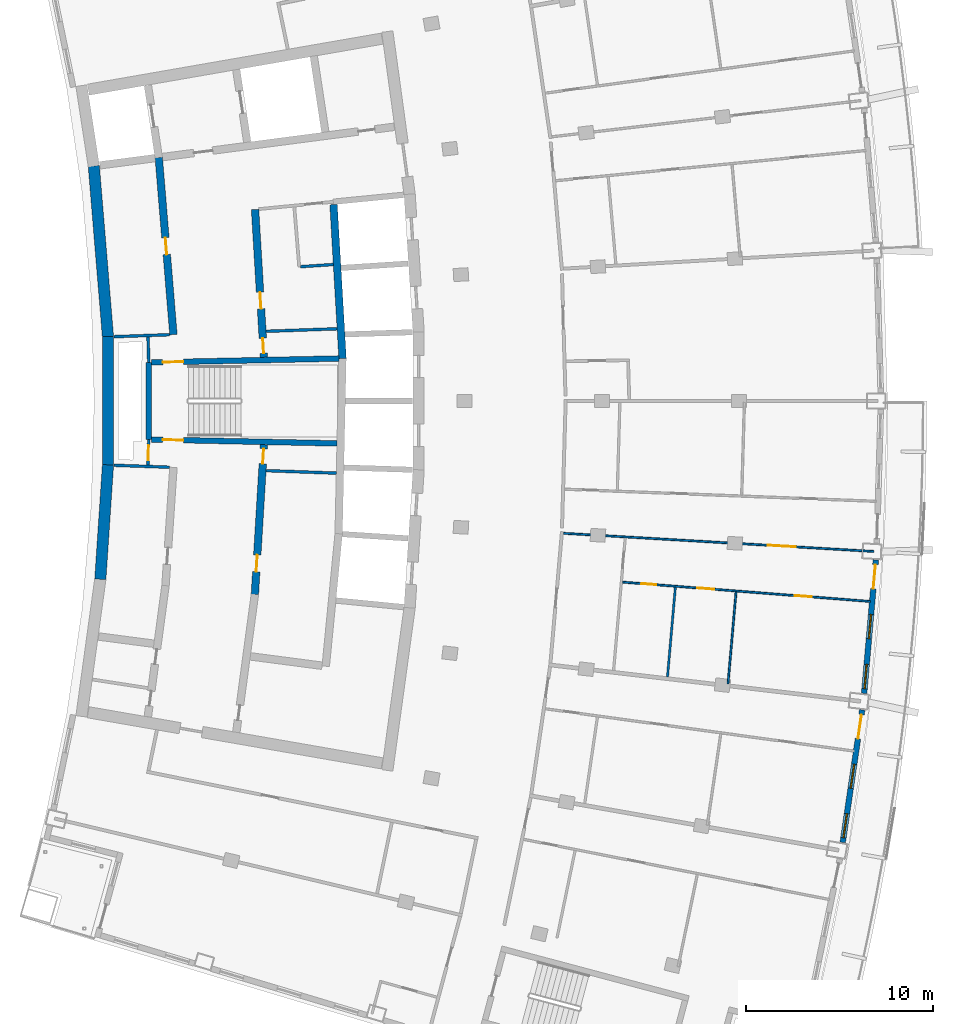
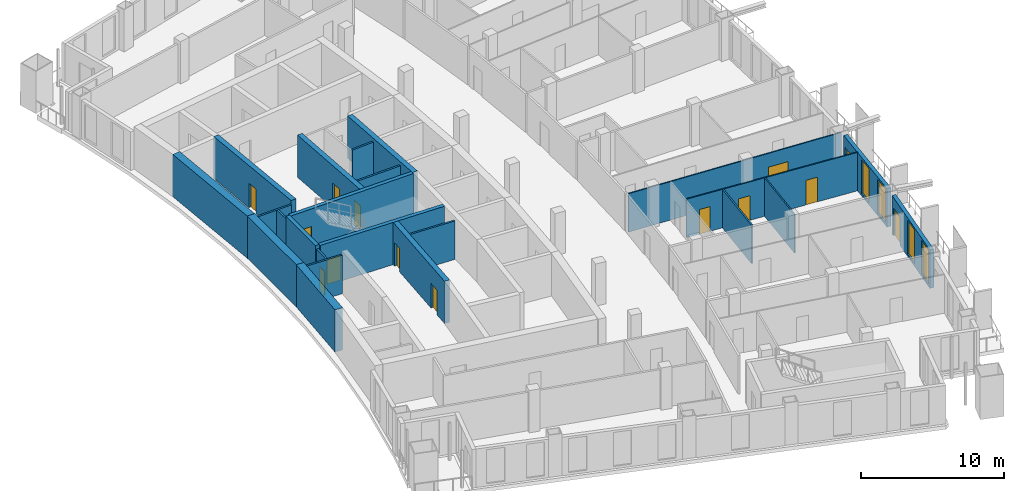
# One storey, part 11 of 17: 23 walls, 14 doors, 4 windows, 18 openings.
"""IFC4 building model written with IfcOpenShell, lengths in metres."""

from ifc_helpers import new_model, si_unit, direction, frame, frame_2d, origin, place, context, subcontext, project, spatial, rectangle, extrude, material, layer, layer_set, type_object, element, fill, save


model = new_model("IFC4")

# Units and contexts
model_context = context("Model", 3, precision=1e-05, world=origin(), true_north=direction((0.0, 1.0)))
body_context = subcontext(model_context, "Body", "Model", "MODEL_VIEW")
ifc_project = project(units=[si_unit("LENGTHUNIT", "METRE"), si_unit("AREAUNIT", "SQUARE_METRE"), si_unit("VOLUMEUNIT", "CUBIC_METRE"), si_unit("PLANEANGLEUNIT", "RADIAN"), si_unit("MASSUNIT", "GRAM", prefix="KILO")], contexts=[model_context])

# Site, building, storey
site_placement = place(None, origin())
site = spatial("IfcSite", under=ifc_project, at=site_placement, CompositionType="ELEMENT")
building_placement = place(site_placement, origin())
building = spatial("IfcBuilding", under=site, at=building_placement, Name="Alderwake Tower", CompositionType="ELEMENT")
storey_placement = place(building_placement, frame((0.0, 0.0, 214.39990234375)))
storey = spatial("IfcBuildingStorey", under=building, at=storey_placement, Name="L53", CompositionType="ELEMENT", Elevation=214.39990234375)

# Walls
ifc_material_1 = material(Name="Gypsum shaft wall system, rated")
ifc_layer_1 = layer(ifc_material_1, 0.14990234375)
ifc_layer_set_1 = layer_set([ifc_layer_1], Name="Core riser partition 150")
wall_type_1 = type_object("IfcWallType", Name="Core riser partition 150", PredefinedType="PARTITIONING", material=ifc_layer_set_1)
wall_1_placement = place(storey_placement, frame((25.1904296875, 57.276611328125, 0.0), z_axis=(0.0, 0.0, 1.0), x_axis=(0.99937350076, -0.035392173974, 0.0)))
element("IfcWall", 1, at=wall_1_placement, inside=storey, type_object=wall_type_1, Name="CW/L53/PR-37_+86", PredefinedType="PARTITIONING", context=body_context, shape_type="SweptSolid", body=[
    extrude(rectangle(XDim=3.752685546875, YDim=0.14990234375, at=frame_2d((1.87646484375, 0.0))), origin(), (0.0, 0.0, 1.0), 3.280029296875),
])
wall_2_placement = place(storey_placement, frame((25.191162109375, 64.723388671875, 0.0), z_axis=(0.0, 0.0, 1.0), x_axis=(0.999373627871, 0.035388584556, 0.0)))
element("IfcWall", 2, at=wall_2_placement, inside=storey, type_object=wall_type_1, Name="CW/L53/PR+37_+86", PredefinedType="PARTITIONING", context=body_context, shape_type="SweptSolid", body=[
    extrude(rectangle(XDim=3.79443359375, YDim=0.14990234375, at=frame_2d((1.897216796875, 0.0))), origin(), (0.0, 0.0, 1.0), 3.280029296875),
])

# Wall, opening, door
ifc_material_2 = material(Name="Gypsum shaft wall system, rated")
ifc_layer_2 = layer(ifc_material_2, 0.14990234375)
ifc_layer_set_2 = layer_set([ifc_layer_2], Name="Core room partition 150")
wall_type_2 = type_object("IfcWallType", Name="Core room partition 150", PredefinedType="PARTITIONING", material=ifc_layer_set_2)
wall_3_placement = place(storey_placement, frame((18.918701171875, 58.94384765625, 0.0), z_axis=(0.0, 0.0, 1.0), x_axis=(-0.027811602725, -0.999613182563, 0.0)))
wall_3 = element("IfcWall", 3, at=wall_3_placement, inside=storey, type_object=wall_type_2, Name="CW/L53/PA+24_-37", PredefinedType="PARTITIONING", context=body_context, shape_type="SweptSolid", body=[
    extrude(rectangle(XDim=1.369384765625, YDim=0.14990234375, at=frame_2d((0.6845703125, 0.0))), origin(), (0.0, 0.0, 1.0), 3.280029296875),
])
opening_1_placement = place(wall_3_placement, frame((0.322998046875, 0.0, 0.0)))
opening_1 = element("IfcOpeningElement", 4, at=opening_1_placement, cuts=wall_3, Name="Opening C004", PredefinedType="OPENING", context=body_context, shape_type="SweptSolid", body=[
    extrude(rectangle(XDim=0.800048828125, YDim=2.0, at=frame_2d((0.39990234375, 1.0))), frame((0.0, 0.0849609375, 0.0), z_axis=(0.0, -1.0, 0.0), x_axis=(1.0, 0.0, 0.0)), (0.0, 0.0, 1.0), 0.169921875),
])
ifc_material_3 = material(Name="Painted steel leaf, rated", Category="steel")
door_type_1 = type_object("IfcDoorType", Name="Riser access door 800", OperationType="SINGLE_SWING_LEFT", PredefinedType="DOOR", material=ifc_material_3)
door_1_placement = place(opening_1_placement, origin())
door_1 = element("IfcDoor", 5, at=door_1_placement, inside=storey, type_object=door_type_1, Name="Riser access door", OperationType="SINGLE_SWING_RIGHT", OverallHeight=2.0, OverallWidth=0.800048828125, PredefinedType="DOOR", context=body_context, shape_type="SweptSolid", body=[
    extrude(rectangle(XDim=0.800048828125, YDim=2.0, at=frame_2d((0.39990234375, 1.0))), frame((0.0, 0.02490234375, 0.0), z_axis=(0.0, -1.0, 0.0), x_axis=(1.0, 0.0, 0.0)), (0.0, 0.0, 1.0), 0.050048828125),
])
fill(opening_1, door_1)

# Walls
wall_4_placement = place(storey_placement, frame((18.918701171875, 63.05517578125, 0.0), z_axis=(0.0, 0.0, 1.0), x_axis=(-0.027791791559, 0.99961373356, 0.0)))
element("IfcWall", 6, at=wall_4_placement, inside=storey, type_object=wall_type_2, Name="CW/L53/PA+24_+22", PredefinedType="PARTITIONING", context=body_context, shape_type="SweptSolid", body=[
    extrude(rectangle(XDim=1.370361328125, YDim=0.14990234375, at=frame_2d((0.68505859375, 0.0))), origin(), (0.0, 0.0, 1.0), 3.280029296875),
])
for number, where, z_axis, x_axis, name in (
    (7, (17.0693359375, 57.56396484375, 0.0), (0.0, 0.0, 1.0), (0.999374945052, -0.03535136775, 0.0), "CW/L53/PR-37_+0"),
    (8, (17.0693359375, 64.43603515625, 0.0), (0.0, 0.0, 1.0), (0.999374945052, 0.03535136775, 0.0), "CW/L53/PR+37_+0"),
):
    element("IfcWall", number, at=place(storey_placement, frame(where, z_axis=z_axis, x_axis=x_axis)), inside=storey, type_object=wall_type_2, Name=name, PredefinedType="PARTITIONING", context=body_context, shape_type="SweptSolid", body=[
        extrude(rectangle(XDim=2.9697265625, YDim=0.14990234375, at=frame_2d((1.48486328125, 0.0))), origin(), (0.0, 0.0, 1.0), 3.280029296875),
    ])
wall_5_placement = place(storey_placement, frame((27.034912109375, 68.175537109375, 0.0), z_axis=(0.0, 0.0, 1.0), x_axis=(0.997757929195, 0.066926188655, 0.0)))
element("IfcWall", 9, at=wall_5_placement, inside=storey, type_object=wall_type_2, Name="CW/L53/PR+70_+107", PredefinedType="PARTITIONING", context=body_context, shape_type="SweptSolid", body=[
    extrude(rectangle(XDim=1.7509765625, YDim=0.14990234375, at=frame_2d((0.87548828125, 0.0))), origin(), (0.0, 0.0, 1.0), 3.280029296875),
])
ifc_material_4 = material(Name="Concrete C70/85", Category="concrete")
ifc_layer_3 = layer(ifc_material_4, 0.60009765625)
ifc_layer_set_3 = layer_set([ifc_layer_3], Name="Core wall outer 600 C70-85")
wall_type_3 = type_object("IfcWallType", Name="Core wall outer 600 C70-85", PredefinedType="SHEAR", material=ifc_layer_set_3)
wall_6_placement = place(storey_placement, frame((16.330078125, 51.469970703125, 0.0), z_axis=(0.0, 0.0, 1.0), x_axis=(0.066870582109, 0.997761657536, 0.0)))
element("IfcWall", 10, at=wall_6_placement, inside=storey, type_object=wall_type_3, Name="Core wall CW.036", PredefinedType="SHEAR", context=body_context, shape_type="SweptSolid", body=[
    extrude(rectangle(XDim=6.1298828125, YDim=0.60009765625, at=frame_2d((3.06494140625, 0.0))), origin(), (0.0, 0.0, 1.0), 3.60009765625),
])
wall_7_placement = place(storey_placement, frame((16.739501953125, 57.565185546875, 0.0), z_axis=(0.0, 0.0, 1.0), x_axis=(0.0, 1.0, 0.0)))
element("IfcWall", 11, at=wall_7_placement, inside=storey, type_object=wall_type_3, Name="Core wall CW.038", PredefinedType="SHEAR", context=body_context, shape_type="SweptSolid", body=[
    extrude(rectangle(XDim=6.8720703125, YDim=0.60009765625, at=frame_2d((3.43603515625, 0.0))), origin(), (0.0, 0.0, 1.0), 3.60009765625),
])
wall_8_placement = place(storey_placement, frame((16.740478515625, 64.411376953125, 0.0), z_axis=(0.0, 0.0, 1.0), x_axis=(-0.082614307012, 0.996581595393, 0.0)))
element("IfcWall", 12, at=wall_8_placement, inside=storey, type_object=wall_type_3, Name="Core wall CW.035", PredefinedType="SHEAR", context=body_context, shape_type="SweptSolid", body=[
    extrude(rectangle(XDim=9.184814453125, YDim=0.60009765625, at=frame_2d((4.59228515625, 0.0))), origin(), (0.0, 0.0, 1.0), 3.60009765625),
])

# Wall, opening, door
ifc_material_5 = material(Name="Concrete C70/85", Category="concrete")
ifc_layer_4 = layer(ifc_material_5, 0.39990234375)
ifc_layer_set_4 = layer_set([ifc_layer_4], Name="Core wall spine 400 C70-85")
wall_type_4 = type_object("IfcWallType", Name="Core wall spine 400 C70-85", PredefinedType="SHEAR", material=ifc_layer_set_4)
wall_9_placement = place(storey_placement, frame((19.452392578125, 74.014892578125, 0.0), z_axis=(0.0, 0.0, 1.0), x_axis=(0.082628585297, -0.996580411654, 0.0)))
wall_9 = element("IfcWall", 13, at=wall_9_placement, inside=storey, type_object=wall_type_4, Name="Core wall CW.031", PredefinedType="SHEAR", context=body_context, shape_type="SweptSolid", body=[
    extrude(rectangle(XDim=9.499267578125, YDim=0.39990234375, at=frame_2d((4.74951171875, 0.0))), origin(), (0.0, 0.0, 1.0), 3.60009765625),
])
opening_2_placement = place(wall_9_placement, frame((4.30322265625, 0.0, 0.0)))
opening_2 = element("IfcOpeningElement", 14, at=opening_2_placement, cuts=wall_9, Name="Opening C051", PredefinedType="OPENING", context=body_context, shape_type="SweptSolid", body=[
    extrude(rectangle(XDim=0.89990234375, YDim=2.10009765625, at=frame_2d((0.449951171875, 1.050048828125))), frame((0.0, 0.2099609375, 0.0), z_axis=(0.0, -1.0, 0.0), x_axis=(1.0, 0.0, 0.0)), (0.0, 0.0, 1.0), 0.419921875),
])
ifc_material_6 = material(Name="Painted steel leaf", Category="steel")
door_type_2 = type_object("IfcDoorType", Name="Core room door 900", OperationType="SINGLE_SWING_LEFT", PredefinedType="DOOR", material=ifc_material_6)
door_2_placement = place(opening_2_placement, origin())
door_2 = element("IfcDoor", 15, at=door_2_placement, inside=storey, type_object=door_type_2, Name="Room door", OperationType="SINGLE_SWING_RIGHT", OverallHeight=2.10009765625, OverallWidth=0.89990234375, PredefinedType="DOOR", context=body_context, shape_type="SweptSolid", body=[
    extrude(rectangle(XDim=0.89990234375, YDim=2.10009765625, at=frame_2d((0.449951171875, 1.050048828125))), frame((0.0, 0.02490234375, 0.0), z_axis=(0.0, -1.0, 0.0), x_axis=(1.0, 0.0, 0.0)), (0.0, 0.0, 1.0), 0.050048828125),
])
fill(opening_2, door_2)

# Wall, openings, doors
wall_10_placement = place(storey_placement, frame((24.590087890625, 50.65673828125, 0.0), z_axis=(0.0, 0.0, 1.0), x_axis=(0.060318641452, 0.998179173041, 0.0)))
wall_10 = element("IfcWall", 16, at=wall_10_placement, inside=storey, type_object=wall_type_4, Name="Core wall CW.046", PredefinedType="SHEAR", context=body_context, shape_type="SweptSolid", body=[
    extrude(rectangle(XDim=8.022216796875, YDim=0.39990234375, at=frame_2d((4.01123046875, 0.0))), origin(), (0.0, 0.0, 1.0), 3.60009765625),
])
opening_3_placement = place(wall_10_placement, frame((7.006103515625, 0.0, 0.0)))
opening_3 = element("IfcOpeningElement", 17, at=opening_3_placement, cuts=wall_10, Name="Opening C006", PredefinedType="OPENING", context=body_context, shape_type="SweptSolid", body=[
    extrude(rectangle(XDim=0.800048828125, YDim=2.0, at=frame_2d((0.39990234375, 1.0))), frame((0.0, 0.2099609375, 0.0), z_axis=(0.0, -1.0, 0.0), x_axis=(1.0, 0.0, 0.0)), (0.0, 0.0, 1.0), 0.419921875),
])
opening_4_placement = place(wall_10_placement, frame((1.21533203125, 0.0, 0.0)))
opening_4 = element("IfcOpeningElement", 18, at=opening_4_placement, cuts=wall_10, Name="Opening C043", PredefinedType="OPENING", context=body_context, shape_type="SweptSolid", body=[
    extrude(rectangle(XDim=0.89990234375, YDim=2.10009765625, at=frame_2d((0.449951171875, 1.050048828125))), frame((0.0, 0.2099609375, 0.0), z_axis=(0.0, -1.0, 0.0), x_axis=(1.0, 0.0, 0.0)), (0.0, 0.0, 1.0), 0.419921875),
])
door_3_placement = place(opening_4_placement, origin())
door_3 = element("IfcDoor", 19, at=door_3_placement, inside=storey, type_object=door_type_2, Name="Room door", OperationType="SINGLE_SWING_LEFT", OverallHeight=2.10009765625, OverallWidth=0.89990234375, PredefinedType="DOOR", context=body_context, shape_type="SweptSolid", body=[
    extrude(rectangle(XDim=0.89990234375, YDim=2.10009765625, at=frame_2d((0.449951171875, 1.050048828125))), frame((0.0, 0.02490234375, 0.0), z_axis=(0.0, -1.0, 0.0), x_axis=(1.0, 0.0, 0.0)), (0.0, 0.0, 1.0), 0.050048828125),
])
fill(opening_4, door_3)
door_4_placement = place(opening_3_placement, origin())
door_4 = element("IfcDoor", 20, at=door_4_placement, inside=storey, type_object=door_type_1, Name="Riser access door", OperationType="SINGLE_SWING_RIGHT", OverallHeight=2.0, OverallWidth=0.800048828125, PredefinedType="DOOR", context=body_context, shape_type="SweptSolid", body=[
    extrude(rectangle(XDim=0.800048828125, YDim=2.0, at=frame_2d((0.39990234375, 1.0))), frame((0.0, 0.02490234375, 0.0), z_axis=(0.0, -1.0, 0.0), x_axis=(1.0, 0.0, 0.0)), (0.0, 0.0, 1.0), 0.050048828125),
])
fill(opening_3, door_4)

wall_11_placement = place(storey_placement, frame((25.073974609375, 63.335693359375, 0.0), z_axis=(0.0, 0.0, 1.0), x_axis=(-0.059848641072, 0.998207463487, 0.0)))
wall_11 = element("IfcWall", 21, at=wall_11_placement, inside=storey, type_object=wall_type_4, Name="Core wall CW.045", PredefinedType="SHEAR", context=body_context, shape_type="SweptSolid", body=[
    extrude(rectangle(XDim=7.913818359375, YDim=0.39990234375, at=frame_2d((3.95703125, 0.0))), origin(), (0.0, 0.0, 1.0), 3.60009765625),
])
opening_5_placement = place(wall_11_placement, frame((0.216064453125, 0.0, 0.0)))
opening_5 = element("IfcOpeningElement", 22, at=opening_5_placement, cuts=wall_11, Name="Opening C005", PredefinedType="OPENING", context=body_context, shape_type="SweptSolid", body=[
    extrude(rectangle(XDim=0.800048828125, YDim=2.0, at=frame_2d((0.39990234375, 1.0))), frame((0.0, 0.2099609375, 0.0), z_axis=(0.0, -1.0, 0.0), x_axis=(1.0, 0.0, 0.0)), (0.0, 0.0, 1.0), 0.419921875),
])
opening_6_placement = place(wall_11_placement, frame((2.590087890625, 0.0, 0.0)))
opening_6 = element("IfcOpeningElement", 23, at=opening_6_placement, cuts=wall_11, Name="Opening C058", PredefinedType="OPENING", context=body_context, shape_type="SweptSolid", body=[
    extrude(rectangle(XDim=0.89990234375, YDim=2.10009765625, at=frame_2d((0.449951171875, 1.050048828125))), frame((0.0, 0.2099609375, 0.0), z_axis=(0.0, -1.0, 0.0), x_axis=(1.0, 0.0, 0.0)), (0.0, 0.0, 1.0), 0.419921875),
])
door_5_placement = place(opening_6_placement, origin())
door_5 = element("IfcDoor", 24, at=door_5_placement, inside=storey, type_object=door_type_2, Name="Room door", OperationType="SINGLE_SWING_LEFT", OverallHeight=2.10009765625, OverallWidth=0.89990234375, PredefinedType="DOOR", context=body_context, shape_type="SweptSolid", body=[
    extrude(rectangle(XDim=0.89990234375, YDim=2.10009765625, at=frame_2d((0.449951171875, 1.050048828125))), frame((0.0, 0.02490234375, 0.0), z_axis=(0.0, -1.0, 0.0), x_axis=(1.0, 0.0, 0.0)), (0.0, 0.0, 1.0), 0.050048828125),
])
fill(opening_6, door_5)
door_6_placement = place(opening_5_placement, origin())
door_6 = element("IfcDoor", 25, at=door_6_placement, inside=storey, type_object=door_type_1, Name="Riser access door", OperationType="SINGLE_SWING_LEFT", OverallHeight=2.0, OverallWidth=0.800048828125, PredefinedType="DOOR", context=body_context, shape_type="SweptSolid", body=[
    extrude(rectangle(XDim=0.800048828125, YDim=2.0, at=frame_2d((0.39990234375, 1.0))), frame((0.0, 0.02490234375, 0.0), z_axis=(0.0, -1.0, 0.0), x_axis=(1.0, 0.0, 0.0)), (0.0, 0.0, 1.0), 0.050048828125),
])
fill(opening_5, door_6)

# Walls
wall_12_placement = place(storey_placement, frame((29.27685546875, 63.2646484375, 0.0), z_axis=(0.0, 0.0, 1.0), x_axis=(-0.0584546922, 0.998290062537, 0.0)))
element("IfcWall", 26, at=wall_12_placement, inside=storey, type_object=wall_type_4, Name="Core wall CW.002", PredefinedType="SHEAR", context=body_context, shape_type="SweptSolid", body=[
    extrude(rectangle(XDim=8.24462890625, YDim=0.39990234375, at=frame_2d((4.122314453125, 0.0))), origin(), (0.0, 0.0, 1.0), 3.60009765625),
])
ifc_material_7 = material(Name="Concrete C70/85", Category="concrete")
ifc_layer_5 = layer(ifc_material_7, 0.300048828125)
ifc_layer_set_5 = layer_set([ifc_layer_5], Name="Core wall stair enclosure 300 C70-85")
wall_type_5 = type_object("IfcWallType", Name="Core wall stair enclosure 300 C70-85", PredefinedType="SHEAR", material=ifc_layer_set_5)
wall_13_placement = place(storey_placement, frame((18.918701171875, 58.940673828125, 0.0), z_axis=(0.0, 0.0, 1.0), x_axis=(0.0, 1.0, 0.0)))
element("IfcWall", 27, at=wall_13_placement, inside=storey, type_object=wall_type_5, Name="Core wall CW.024", PredefinedType="SHEAR", context=body_context, shape_type="SweptSolid", body=[
    extrude(rectangle(XDim=4.11962890625, YDim=0.300048828125, at=frame_2d((2.059814453125, 0.0))), origin(), (0.0, 0.0, 1.0), 3.60009765625),
])

# Wall, opening, door
wall_14_placement = place(storey_placement, frame((28.975830078125, 58.733154296875, 0.0), z_axis=(0.0, 0.0, 1.0), x_axis=(-0.999783782948, 0.020793925895, 0.0)))
wall_14 = element("IfcWall", 28, at=wall_14_placement, inside=storey, type_object=wall_type_5, Name="Core wall CW.074", PredefinedType="SHEAR", context=body_context, shape_type="SweptSolid", body=[
    extrude(rectangle(XDim=9.909423828125, YDim=0.300048828125, at=frame_2d((4.95458984375, 0.0))), origin(), (0.0, 0.0, 1.0), 3.60009765625),
])
opening_7_placement = place(wall_14_placement, frame((8.20947265625, 0.0, 0.0)))
opening_7 = element("IfcOpeningElement", 29, at=opening_7_placement, cuts=wall_14, Name="Opening C063", PredefinedType="OPENING", context=body_context, shape_type="SweptSolid", body=[
    extrude(rectangle(XDim=1.10009765625, YDim=2.10009765625, at=frame_2d((0.550048828125, 1.050048828125))), frame((0.0, 0.159912109375, 0.0), z_axis=(0.0, -1.0, 0.0), x_axis=(1.0, 0.0, 0.0)), (0.0, 0.0, 1.0), 0.320068359375),
])
ifc_material_8 = material(Name="Steel-framed fire door leaf", Category="steel")
door_type_3 = type_object("IfcDoorType", Name="Core stair door 1100 fire-rated", OperationType="SINGLE_SWING_LEFT", PredefinedType="DOOR", material=ifc_material_8)
door_7_placement = place(opening_7_placement, origin())
door_7 = element("IfcDoor", 30, at=door_7_placement, inside=storey, type_object=door_type_3, Name="Stair door", OperationType="SINGLE_SWING_LEFT", OverallHeight=2.10009765625, OverallWidth=1.10009765625, PredefinedType="DOOR", context=body_context, shape_type="SweptSolid", body=[
    extrude(rectangle(XDim=1.10009765625, YDim=2.10009765625, at=frame_2d((0.550048828125, 1.050048828125))), frame((0.0, 0.02490234375, 0.0), z_axis=(0.0, -1.0, 0.0), x_axis=(1.0, 0.0, 0.0)), (0.0, 0.0, 1.0), 0.050048828125),
])
fill(opening_7, door_7)

wall_15_placement = place(storey_placement, frame((19.068603515625, 63.060791015625, 0.0), z_axis=(0.0, 0.0, 1.0), x_axis=(0.999783553773, 0.02080494185, 0.0)))
wall_15 = element("IfcWall", 31, at=wall_15_placement, inside=storey, type_object=wall_type_5, Name="Core wall CW.057", PredefinedType="SHEAR", context=body_context, shape_type="SweptSolid", body=[
    extrude(rectangle(XDim=10.009765625, YDim=0.300048828125, at=frame_2d((5.0048828125, 0.0))), origin(), (0.0, 0.0, 1.0), 3.60009765625),
])
opening_8_placement = place(wall_15_placement, frame((0.60009765625, 0.0, 0.0)))
opening_8 = element("IfcOpeningElement", 32, at=opening_8_placement, cuts=wall_15, Name="Opening C064", PredefinedType="OPENING", context=body_context, shape_type="SweptSolid", body=[
    extrude(rectangle(XDim=1.10009765625, YDim=2.10009765625, at=frame_2d((0.550048828125, 1.050048828125))), frame((0.0, 0.159912109375, 0.0), z_axis=(0.0, -1.0, 0.0), x_axis=(1.0, 0.0, 0.0)), (0.0, 0.0, 1.0), 0.320068359375),
])
door_8_placement = place(opening_8_placement, origin())
door_8 = element("IfcDoor", 33, at=door_8_placement, inside=storey, type_object=door_type_3, Name="Stair door", OperationType="SINGLE_SWING_RIGHT", OverallHeight=2.10009765625, OverallWidth=1.10009765625, PredefinedType="DOOR", context=body_context, shape_type="SweptSolid", body=[
    extrude(rectangle(XDim=1.10009765625, YDim=2.10009765625, at=frame_2d((0.550048828125, 1.050048828125))), frame((0.0, 0.02490234375, 0.0), z_axis=(0.0, -1.0, 0.0), x_axis=(1.0, 0.0, 0.0)), (0.0, 0.0, 1.0), 0.050048828125),
])
fill(opening_8, door_8)

# Wall, openings, door, windows
ifc_material_9 = material(Name="Precast concrete C50/60 spandrel panel", Category="concrete")
ifc_layer_6 = layer(ifc_material_9, 0.300048828125)
ifc_layer_set_6 = layer_set([ifc_layer_6], Name="External wall EW1 Precast concrete C50/60 spandrel")
wall_type_6 = type_object("IfcWallType", Name="External wall EW1 Precast concrete C50/60 spandrel", PredefinedType="SOLIDWALL", material=ifc_layer_set_6)
wall_16_placement = place(storey_placement, frame((56.006591796875, 37.406982421875, 0.0), z_axis=(0.0, 0.0, 1.0), x_axis=(0.14528382607, 0.989390019094, 0.0)))
wall_16 = element("IfcWall", 34, at=wall_16_placement, inside=storey, type_object=wall_type_6, Name="External wall 13", PredefinedType="SOLIDWALL", context=body_context, shape_type="SweptSolid", body=[
    extrude(rectangle(XDim=7.156982421875, YDim=0.300048828125, at=frame_2d((3.57861328125, 0.0))), origin(), (0.0, 0.0, 1.0), 3.280029296875),
])
opening_9_placement = place(wall_16_placement, frame((0.24951171875, 0.0, 0.199951171875)))
opening_9 = element("IfcOpeningElement", 35, at=opening_9_placement, cuts=wall_16, Name="Opening W1", PredefinedType="OPENING", context=body_context, shape_type="SweptSolid", body=[
    extrude(rectangle(XDim=1.300048828125, YDim=2.89990234375, at=frame_2d((0.64990234375, 1.449951171875))), frame((0.0, 0.159912109375, 0.0), z_axis=(0.0, -1.0, 0.0), x_axis=(1.0, 0.0, 0.0)), (0.0, 0.0, 1.0), 0.320068359375),
])
opening_10_placement = place(wall_16_placement, frame((2.928466796875, 0.0, 0.199951171875)))
opening_10 = element("IfcOpeningElement", 36, at=opening_10_placement, cuts=wall_16, Name="Opening W1", PredefinedType="OPENING", context=body_context, shape_type="SweptSolid", body=[
    extrude(rectangle(XDim=1.300048828125, YDim=2.89990234375, at=frame_2d((0.64990234375, 1.449951171875))), frame((0.0, 0.159912109375, 0.0), z_axis=(0.0, -1.0, 0.0), x_axis=(1.0, 0.0, 0.0)), (0.0, 0.0, 1.0), 0.320068359375),
])
opening_11_placement = place(wall_16_placement, frame((5.607666015625, 0.0, 0.0)))
opening_11 = element("IfcOpeningElement", 37, at=opening_11_placement, cuts=wall_16, Name="Opening D03", PredefinedType="OPENING", context=body_context, shape_type="SweptSolid", body=[
    extrude(rectangle(XDim=1.300048828125, YDim=2.39990234375, at=frame_2d((0.64990234375, 1.199951171875))), frame((0.0, 0.159912109375, 0.0), z_axis=(0.0, -1.0, 0.0), x_axis=(1.0, 0.0, 0.0)), (0.0, 0.0, 1.0), 0.320068359375),
])
ifc_material_10 = material(Name="Bronze tinted glass in aluminium frame", Category="aluminium")
door_type_4 = type_object("IfcDoorType", Name="Balcony door BD sliding", OperationType="SLIDING_TO_LEFT", PredefinedType="DOOR", material=ifc_material_10)
door_9_placement = place(opening_11_placement, origin())
door_9 = element("IfcDoor", 38, at=door_9_placement, inside=storey, type_object=door_type_4, Name="Door D03", OperationType="SLIDING_TO_LEFT", OverallHeight=2.39990234375, OverallWidth=1.300048828125, PredefinedType="DOOR", context=body_context, shape_type="SweptSolid", body=[
    extrude(rectangle(XDim=1.300048828125, YDim=2.39990234375, at=frame_2d((0.64990234375, 1.199951171875))), frame((0.0, 0.02490234375, 0.0), z_axis=(0.0, -1.0, 0.0), x_axis=(1.0, 0.0, 0.0)), (0.0, 0.0, 1.0), 0.050048828125),
])
fill(opening_11, door_9)
ifc_material_11 = material(Name="Bronze tinted glass in aluminium frame", Category="aluminium")
window_type = type_object("IfcWindowType", Name="Window W1 tall fixed and vent", PartitioningType="DOUBLE_PANEL_VERTICAL", PredefinedType="WINDOW", material=ifc_material_11)
window_1_placement = place(opening_9_placement, origin())
window_1 = element("IfcWindow", 39, at=window_1_placement, inside=storey, type_object=window_type, Name="Window W1 tall fixed and vent", OverallHeight=2.89990234375, OverallWidth=1.300048828125, PartitioningType="DOUBLE_PANEL_VERTICAL", PredefinedType="WINDOW", context=body_context, shape_type="SweptSolid", body=[
    extrude(rectangle(XDim=1.300048828125, YDim=2.89990234375, at=frame_2d((0.64990234375, 1.449951171875))), frame((0.0, 0.030029296875, 0.0), z_axis=(0.0, -1.0, 0.0), x_axis=(1.0, 0.0, 0.0)), (0.0, 0.0, 1.0), 0.06005859375),
])
fill(opening_9, window_1)
window_2_placement = place(opening_10_placement, origin())
window_2 = element("IfcWindow", 40, at=window_2_placement, inside=storey, type_object=window_type, Name="Window W1 tall fixed and vent", OverallHeight=2.89990234375, OverallWidth=1.300048828125, PartitioningType="DOUBLE_PANEL_VERTICAL", PredefinedType="WINDOW", context=body_context, shape_type="SweptSolid", body=[
    extrude(rectangle(XDim=1.300048828125, YDim=2.89990234375, at=frame_2d((0.64990234375, 1.449951171875))), frame((0.0, 0.030029296875, 0.0), z_axis=(0.0, -1.0, 0.0), x_axis=(1.0, 0.0, 0.0)), (0.0, 0.0, 1.0), 0.06005859375),
])
fill(opening_10, window_2)

wall_17_placement = place(storey_placement, frame((57.150634765625, 45.37646484375, 0.0), z_axis=(0.0, 0.0, 1.0), x_axis=(0.087398001478, 0.996173473516, 0.0)))
wall_17 = element("IfcWall", 41, at=wall_17_placement, inside=storey, type_object=wall_type_6, Name="External wall 14", PredefinedType="SOLIDWALL", context=body_context, shape_type="SweptSolid", body=[
    extrude(rectangle(XDim=7.15673828125, YDim=0.300048828125, at=frame_2d((3.578369140625, 0.0))), origin(), (0.0, 0.0, 1.0), 3.280029296875),
])
opening_12_placement = place(wall_17_placement, frame((0.24951171875, 0.0, 0.199951171875)))
opening_12 = element("IfcOpeningElement", 42, at=opening_12_placement, cuts=wall_17, Name="Opening W1", PredefinedType="OPENING", context=body_context, shape_type="SweptSolid", body=[
    extrude(rectangle(XDim=1.300048828125, YDim=2.89990234375, at=frame_2d((0.64990234375, 1.449951171875))), frame((0.0, 0.159912109375, 0.0), z_axis=(0.0, -1.0, 0.0), x_axis=(1.0, 0.0, 0.0)), (0.0, 0.0, 1.0), 0.320068359375),
])
opening_13_placement = place(wall_17_placement, frame((2.928466796875, 0.0, 0.199951171875)))
opening_13 = element("IfcOpeningElement", 43, at=opening_13_placement, cuts=wall_17, Name="Opening W1", PredefinedType="OPENING", context=body_context, shape_type="SweptSolid", body=[
    extrude(rectangle(XDim=1.300048828125, YDim=2.89990234375, at=frame_2d((0.64990234375, 1.449951171875))), frame((0.0, 0.159912109375, 0.0), z_axis=(0.0, -1.0, 0.0), x_axis=(1.0, 0.0, 0.0)), (0.0, 0.0, 1.0), 0.320068359375),
])
opening_14_placement = place(wall_17_placement, frame((5.607421875, 0.0, 0.0)))
opening_14 = element("IfcOpeningElement", 44, at=opening_14_placement, cuts=wall_17, Name="Opening D04", PredefinedType="OPENING", context=body_context, shape_type="SweptSolid", body=[
    extrude(rectangle(XDim=1.300048828125, YDim=2.39990234375, at=frame_2d((0.64990234375, 1.199951171875))), frame((0.0, 0.159912109375, 0.0), z_axis=(0.0, -1.0, 0.0), x_axis=(1.0, 0.0, 0.0)), (0.0, 0.0, 1.0), 0.320068359375),
])
door_10_placement = place(opening_14_placement, origin())
door_10 = element("IfcDoor", 45, at=door_10_placement, inside=storey, type_object=door_type_4, Name="Door D04", OperationType="SLIDING_TO_LEFT", OverallHeight=2.39990234375, OverallWidth=1.300048828125, PredefinedType="DOOR", context=body_context, shape_type="SweptSolid", body=[
    extrude(rectangle(XDim=1.300048828125, YDim=2.39990234375, at=frame_2d((0.64990234375, 1.199951171875))), frame((0.0, 0.02490234375, 0.0), z_axis=(0.0, -1.0, 0.0), x_axis=(1.0, 0.0, 0.0)), (0.0, 0.0, 1.0), 0.050048828125),
])
fill(opening_14, door_10)
window_3_placement = place(opening_12_placement, origin())
window_3 = element("IfcWindow", 46, at=window_3_placement, inside=storey, type_object=window_type, Name="Window W1 tall fixed and vent", OverallHeight=2.89990234375, OverallWidth=1.300048828125, PartitioningType="DOUBLE_PANEL_VERTICAL", PredefinedType="WINDOW", context=body_context, shape_type="SweptSolid", body=[
    extrude(rectangle(XDim=1.300048828125, YDim=2.89990234375, at=frame_2d((0.64990234375, 1.449951171875))), frame((0.0, 0.030029296875, 0.0), z_axis=(0.0, -1.0, 0.0), x_axis=(1.0, 0.0, 0.0)), (0.0, 0.0, 1.0), 0.06005859375),
])
fill(opening_12, window_3)
window_4_placement = place(opening_13_placement, origin())
window_4 = element("IfcWindow", 47, at=window_4_placement, inside=storey, type_object=window_type, Name="Window W1 tall fixed and vent", OverallHeight=2.89990234375, OverallWidth=1.300048828125, PartitioningType="DOUBLE_PANEL_VERTICAL", PredefinedType="WINDOW", context=body_context, shape_type="SweptSolid", body=[
    extrude(rectangle(XDim=1.300048828125, YDim=2.89990234375, at=frame_2d((0.64990234375, 1.449951171875))), frame((0.0, 0.030029296875, 0.0), z_axis=(0.0, -1.0, 0.0), x_axis=(1.0, 0.0, 0.0)), (0.0, 0.0, 1.0), 0.06005859375),
])
fill(opening_13, window_4)

# Wall, opening, door
ifc_material_12 = material(Name="Gypsum board on metal studs")
ifc_layer_7 = layer(ifc_material_12, 0.10009765625)
ifc_layer_set_7 = layer_set([ifc_layer_7], Name="Unit partition 100")
wall_type_7 = type_object("IfcWallType", Name="Unit partition 100", PredefinedType="PARTITIONING", material=ifc_layer_set_7)
wall_18_placement = place(storey_placement, frame((41.074951171875, 53.92919921875, 0.0), z_axis=(0.0, 0.0, 1.0), x_axis=(0.998294525583, -0.058378422306, 0.0)))
wall_18 = element("IfcWall", 48, at=wall_18_placement, inside=storey, type_object=wall_type_7, Name="WL/L53/W45", PredefinedType="PARTITIONING", context=body_context, shape_type="SweptSolid", body=[
    extrude(rectangle(XDim=16.619384765625, YDim=0.10009765625, at=frame_2d((8.3095703125, 0.0))), origin(), (0.0, 0.0, 1.0), 3.280029296875),
])
opening_15_placement = place(wall_18_placement, frame((10.95263671875, 0.0, 0.0)))
opening_15 = element("IfcOpeningElement", 49, at=opening_15_placement, cuts=wall_18, Name="Opening R15-U05.9", PredefinedType="OPENING", context=body_context, shape_type="SweptSolid", body=[
    extrude(rectangle(XDim=1.5, YDim=2.10009765625, at=frame_2d((0.75, 1.050048828125))), frame((0.0, 0.06005859375, 0.0), z_axis=(0.0, -1.0, 0.0), x_axis=(1.0, 0.0, 0.0)), (0.0, 0.0, 1.0), 0.1201171875),
])
ifc_material_13 = material(Name="Painted timber leaves", Category="wood")
door_type_5 = type_object("IfcDoorType", Name="Double leaf door 1500", OperationType="DOUBLE_DOOR_SINGLE_SWING", PredefinedType="DOOR", material=ifc_material_13)
door_11_placement = place(opening_15_placement, origin())
door_11 = element("IfcDoor", 50, at=door_11_placement, inside=storey, type_object=door_type_5, Name="DR/L53/U05.9", OperationType="DOUBLE_DOOR_SINGLE_SWING", OverallHeight=2.10009765625, OverallWidth=1.5, PredefinedType="DOOR", context=body_context, shape_type="SweptSolid", body=[
    extrude(rectangle(XDim=1.5, YDim=2.10009765625, at=frame_2d((0.75, 1.050048828125))), frame((0.0, 0.02490234375, 0.0), z_axis=(0.0, -1.0, 0.0), x_axis=(1.0, 0.0, 0.0)), (0.0, 0.0, 1.0), 0.050048828125),
])
fill(opening_15, door_11)

# Wall, openings, doors
wall_19_placement = place(storey_placement, frame((57.47998046875, 50.285888671875, 0.0), z_axis=(0.0, 0.0, 1.0), x_axis=(-0.99696989553, 0.077788350066, 0.0)))
wall_19 = element("IfcWall", 51, at=wall_19_placement, inside=storey, type_object=wall_type_7, Name="WL/L53/W47", PredefinedType="PARTITIONING", context=body_context, shape_type="SweptSolid", body=[
    extrude(rectangle(XDim=13.285400390625, YDim=0.10009765625, at=frame_2d((6.642578125, 0.0))), origin(), (0.0, 0.0, 1.0), 3.280029296875),
])
opening_16_placement = place(wall_19_placement, frame((8.368408203125, 0.0, 0.0)))
opening_16 = element("IfcOpeningElement", 52, at=opening_16_placement, cuts=wall_19, Name="Opening R15-U05.1", PredefinedType="OPENING", context=body_context, shape_type="SweptSolid", body=[
    extrude(rectangle(XDim=0.89990234375, YDim=2.10009765625, at=frame_2d((0.449951171875, 1.050048828125))), frame((0.0, 0.06005859375, 0.0), z_axis=(0.0, -1.0, 0.0), x_axis=(1.0, 0.0, 0.0)), (0.0, 0.0, 1.0), 0.1201171875),
])
opening_17_placement = place(wall_19_placement, frame((11.465087890625, 0.0, 0.0)))
opening_17 = element("IfcOpeningElement", 53, at=opening_17_placement, cuts=wall_19, Name="Opening R15-U05.4", PredefinedType="OPENING", context=body_context, shape_type="SweptSolid", body=[
    extrude(rectangle(XDim=0.800048828125, YDim=2.10009765625, at=frame_2d((0.39990234375, 1.050048828125))), frame((0.0, 0.06005859375, 0.0), z_axis=(0.0, -1.0, 0.0), x_axis=(1.0, 0.0, 0.0)), (0.0, 0.0, 1.0), 0.1201171875),
])
opening_18_placement = place(wall_19_placement, frame((3.14599609375, 0.0, 0.0)))
opening_18 = element("IfcOpeningElement", 54, at=opening_18_placement, cuts=wall_19, Name="Opening R15-U05.5", PredefinedType="OPENING", context=body_context, shape_type="SweptSolid", body=[
    extrude(rectangle(XDim=0.89990234375, YDim=2.10009765625, at=frame_2d((0.449951171875, 1.050048828125))), frame((0.0, 0.06005859375, 0.0), z_axis=(0.0, -1.0, 0.0), x_axis=(1.0, 0.0, 0.0)), (0.0, 0.0, 1.0), 0.1201171875),
])
ifc_material_14 = material(Name="Painted timber leaf", Category="wood")
door_type_6 = type_object("IfcDoorType", Name="Bathroom door 800", OperationType="SINGLE_SWING_LEFT", PredefinedType="DOOR", material=ifc_material_14)
door_12_placement = place(opening_17_placement, origin())
door_12 = element("IfcDoor", 55, at=door_12_placement, inside=storey, type_object=door_type_6, Name="DR/L53/U05.4", OperationType="SINGLE_SWING_LEFT", OverallHeight=2.10009765625, OverallWidth=0.800048828125, PredefinedType="DOOR", context=body_context, shape_type="SweptSolid", body=[
    extrude(rectangle(XDim=0.800048828125, YDim=2.10009765625, at=frame_2d((0.39990234375, 1.050048828125))), frame((0.0, 0.02490234375, 0.0), z_axis=(0.0, -1.0, 0.0), x_axis=(1.0, 0.0, 0.0)), (0.0, 0.0, 1.0), 0.050048828125),
])
fill(opening_17, door_12)
ifc_material_15 = material(Name="Painted timber leaf", Category="wood")
door_type_7 = type_object("IfcDoorType", Name="Room door 900", OperationType="SINGLE_SWING_LEFT", PredefinedType="DOOR", material=ifc_material_15)
door_13_placement = place(opening_16_placement, origin())
door_13 = element("IfcDoor", 56, at=door_13_placement, inside=storey, type_object=door_type_7, Name="DR/L53/U05.1", OperationType="SINGLE_SWING_LEFT", OverallHeight=2.10009765625, OverallWidth=0.89990234375, PredefinedType="DOOR", context=body_context, shape_type="SweptSolid", body=[
    extrude(rectangle(XDim=0.89990234375, YDim=2.10009765625, at=frame_2d((0.449951171875, 1.050048828125))), frame((0.0, 0.02490234375, 0.0), z_axis=(0.0, -1.0, 0.0), x_axis=(1.0, 0.0, 0.0)), (0.0, 0.0, 1.0), 0.050048828125),
])
fill(opening_16, door_13)
door_14_placement = place(opening_18_placement, origin())
door_14 = element("IfcDoor", 57, at=door_14_placement, inside=storey, type_object=door_type_7, Name="DR/L53/U05.5", OperationType="SINGLE_SWING_LEFT", OverallHeight=2.10009765625, OverallWidth=0.89990234375, PredefinedType="DOOR", context=body_context, shape_type="SweptSolid", body=[
    extrude(rectangle(XDim=0.89990234375, YDim=2.10009765625, at=frame_2d((0.449951171875, 1.050048828125))), frame((0.0, 0.02490234375, 0.0), z_axis=(0.0, -1.0, 0.0), x_axis=(1.0, 0.0, 0.0)), (0.0, 0.0, 1.0), 0.050048828125),
])
fill(opening_18, door_14)

# Walls
wall_20_placement = place(storey_placement, frame((49.874755859375, 45.879638671875, 0.0), z_axis=(0.0, 0.0, 1.0), x_axis=(0.087344977102, 0.99617812412, 0.0)))
element("IfcWall", 58, at=wall_20_placement, inside=storey, type_object=wall_type_7, Name="WL/L53/W52", PredefinedType="PARTITIONING", context=body_context, shape_type="SweptSolid", body=[
    extrude(rectangle(XDim=4.933349609375, YDim=0.10009765625, at=frame_2d((2.466796875, 0.0))), origin(), (0.0, 0.0, 1.0), 3.280029296875),
])
ifc_material_16 = material(Name="Moisture resistant gypsum board on metal studs")
ifc_layer_8 = layer(ifc_material_16, 0.1201171875)
ifc_layer_set_8 = layer_set([ifc_layer_8], Name="Wet room partition 120")
wall_type_8 = type_object("IfcWallType", Name="Wet room partition 120", PredefinedType="PARTITIONING", material=ifc_layer_set_8)
wall_21_placement = place(storey_placement, frame((46.640869140625, 46.2578125, 0.0), z_axis=(0.0, 0.0, 1.0), x_axis=(0.087714452347, 0.996145659454, 0.0)))
element("IfcWall", 59, at=wall_21_placement, inside=storey, type_object=wall_type_8, Name="WL/L53/W39", PredefinedType="PARTITIONING", context=body_context, shape_type="SweptSolid", body=[
    extrude(rectangle(XDim=4.806884765625, YDim=0.1201171875, at=frame_2d((2.4033203125, 0.0))), origin(), (0.0, 0.0, 1.0), 3.280029296875),
])

save(model, "model.ifc")
